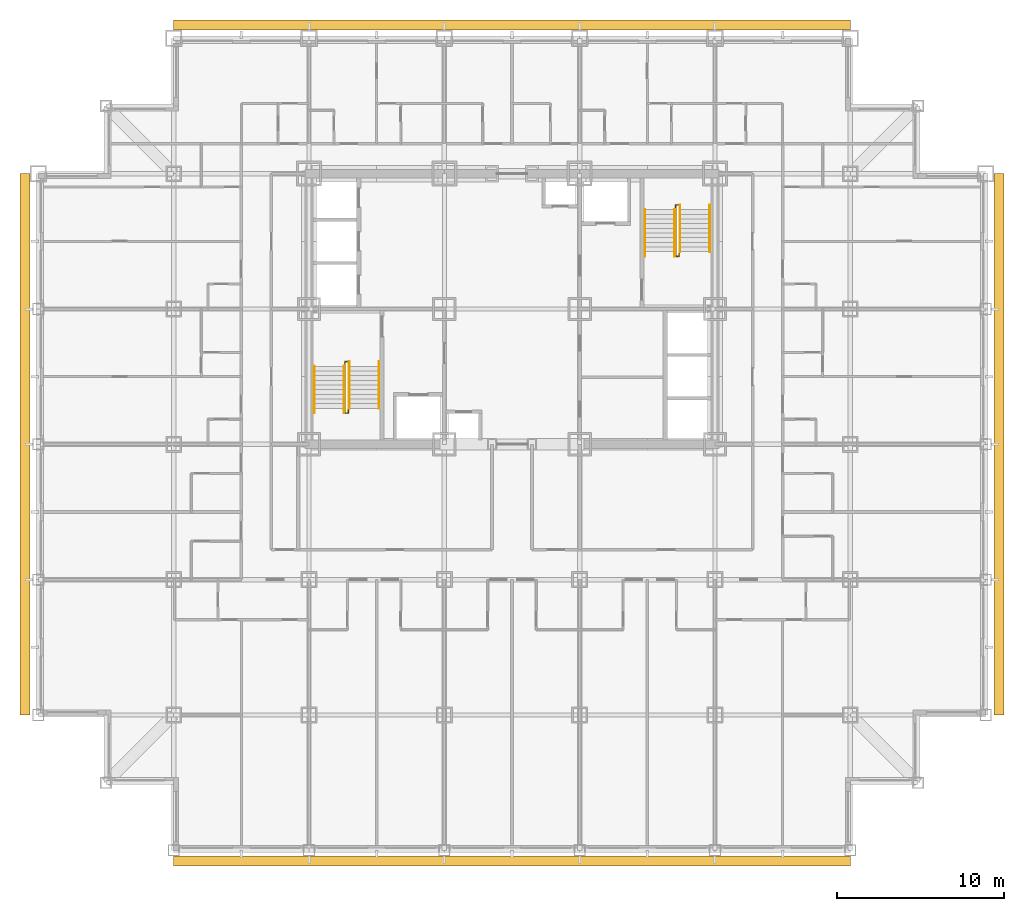
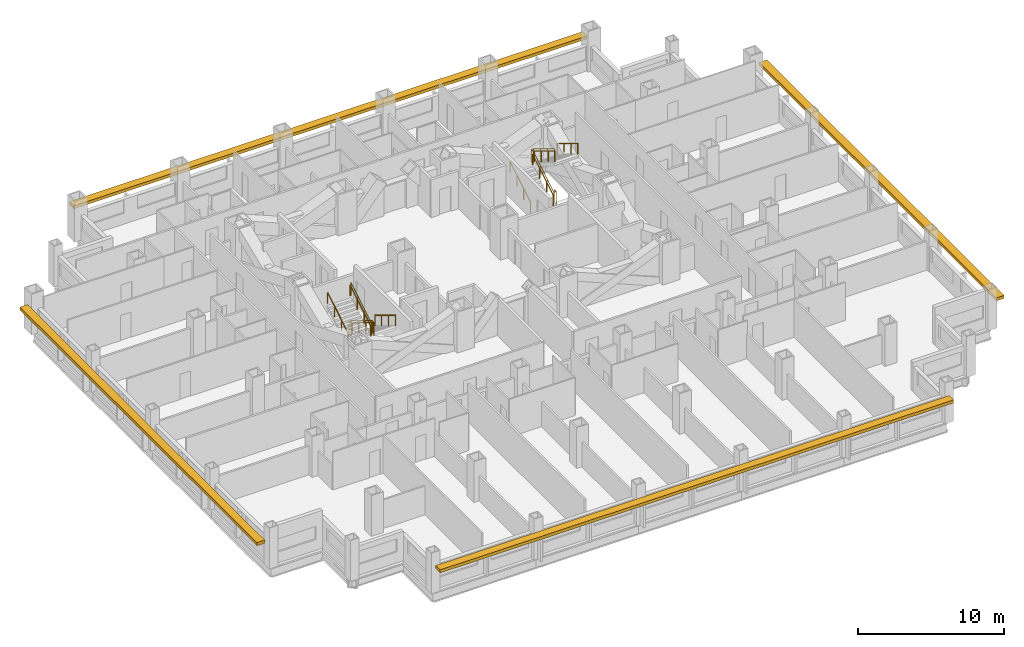
# One storey, part 12 of 12: 10 railings, 4 shading devices.
"""IFC4 building model written with IfcOpenShell, lengths in metres."""

from ifc_helpers import new_model, si_unit, direction, frame, origin, origin_2d, place, context, subcontext, project, spatial, rectangle, circle, extrude, material, type_object, element, save


model = new_model("IFC4")

# Units and contexts
model_context = context("Model", 3, precision=1e-05, world=origin(), true_north=direction((0.0, 1.0)))
body_context = subcontext(model_context, "Body", "Model", "MODEL_VIEW")
ifc_project = project(units=[si_unit("LENGTHUNIT", "METRE"), si_unit("AREAUNIT", "SQUARE_METRE"), si_unit("VOLUMEUNIT", "CUBIC_METRE"), si_unit("PLANEANGLEUNIT", "RADIAN"), si_unit("MASSUNIT", "GRAM", prefix="KILO")], contexts=[model_context])

# Site, building, storey
site_placement = place(None, origin())
site = spatial("IfcSite", under=ifc_project, at=site_placement, CompositionType="ELEMENT")
building_placement = place(site_placement, origin())
building = spatial("IfcBuilding", under=site, at=building_placement, Name="Kopane Lantern Tower", CompositionType="ELEMENT")
storey_placement = place(building_placement, frame((0.0, 0.0, 87.39990234375)))
storey = spatial("IfcBuildingStorey", under=building, at=storey_placement, Name="L22", CompositionType="ELEMENT", Elevation=87.39990234375)

# Railings
ifc_material_1 = material(Name="Steel", Category="steel")
railing_type_1 = type_object("IfcRailingType", Name="STAIR GUARD 1100", PredefinedType="GUARDRAIL", material=ifc_material_1)
railing_1_placement = place(storey_placement, frame((18.35009765625, 28.969970703125, 0.0)))
element("IfcRailing", 1, at=railing_1_placement, inside=storey, type_object=railing_type_1, Name="ST1 well guard L22", PredefinedType="GUARDRAIL", context=body_context, shape_type="SweptSolid", body=[
    extrude(circle(Radius=0.02392578125, at=origin_2d()), frame((0.0, 0.0, 1.076171875), z_axis=(0.0, 1.0, 0.0), x_axis=(-1.0, 0.0, 0.0)), (0.0, 0.0, 1.0), 0.280029296875),
    extrude(circle(Radius=0.02392578125, at=origin_2d()), frame((0.0, 0.280029296875, 1.076171875), z_axis=(1.0, 0.0, 0.0), x_axis=(0.0, 1.0, 0.0)), (0.0, 0.0, 1.0), 0.199951171875),
    extrude(circle(Radius=0.02392578125, at=origin_2d()), frame((0.199951171875, 0.280029296875, 1.076171875), z_axis=(0.0, -0.854765079529, 0.519015085347), x_axis=(1.0, 0.0, 0.0)), (0.0, 0.0, 1.0), 3.27587890625),
    extrude(circle(Radius=0.02392578125, at=origin_2d()), frame((0.199951171875, -2.52001953125, 2.7763671875), z_axis=(0.0, -1.0, 0.0), x_axis=(1.0, 0.0, 0.0)), (0.0, 0.0, 1.0), 0.280029296875),
    extrude(circle(Radius=0.02392578125, at=origin_2d()), frame((0.199951171875, -2.800048828125, 2.7763671875), z_axis=(-1.0, 0.0, 0.0), x_axis=(0.0, -1.0, 0.0)), (0.0, 0.0, 1.0), 0.199951171875),
    extrude(circle(Radius=0.02392578125, at=origin_2d()), frame((0.0, -2.800048828125, 2.7763671875), z_axis=(0.0, 0.854798142509, 0.518960630071), x_axis=(-1.0, 0.0, 0.0)), (0.0, 0.0, 1.0), 3.275634765625),
    extrude(circle(Radius=0.02099609375, at=origin_2d()), origin(), (0.0, 0.0, 1.0), 1.052001953125),
    extrude(circle(Radius=0.02099609375, at=origin_2d()), frame((0.0, 0.280029296875, 0.0)), (0.0, 0.0, 1.0), 1.052001953125),
    extrude(circle(Radius=0.02099609375, at=origin_2d()), frame((0.199951171875, 0.280029296875, 0.0)), (0.0, 0.0, 1.0), 1.052001953125),
    extrude(circle(Radius=0.02099609375, at=origin_2d()), frame((0.199951171875, -0.6533203125, 0.566650390625)), (0.0, 0.0, 1.0), 1.052001953125),
    extrude(circle(Radius=0.02099609375, at=origin_2d()), frame((0.199951171875, -1.586669921875, 1.133544921875)), (0.0, 0.0, 1.0), 1.052001953125),
    extrude(circle(Radius=0.02099609375, at=origin_2d()), frame((0.199951171875, -2.52001953125, 1.7001953125)), (0.0, 0.0, 1.0), 1.052001953125),
    extrude(circle(Radius=0.02099609375, at=origin_2d()), frame((0.199951171875, -2.800048828125, 1.7001953125)), (0.0, 0.0, 1.0), 1.052001953125),
    extrude(circle(Radius=0.02099609375, at=origin_2d()), frame((0.0, -2.800048828125, 1.7001953125)), (0.0, 0.0, 1.0), 1.052001953125),
    extrude(circle(Radius=0.02099609375, at=origin_2d()), frame((0.0, -1.86669921875, 2.266845703125)), (0.0, 0.0, 1.0), 1.052001953125),
    extrude(circle(Radius=0.02099609375, at=origin_2d()), frame((0.0, -0.933349609375, 2.83349609375)), (0.0, 0.0, 1.0), 1.052001953125),
    extrude(circle(Radius=0.02099609375, at=origin_2d()), frame((0.0, 0.0, 3.400146484375)), (0.0, 0.0, 1.0), 1.052001953125),
])
railing_2_placement = place(storey_placement, frame((38.35009765625, 35.830078125, 0.0)))
element("IfcRailing", 2, at=railing_2_placement, inside=storey, type_object=railing_type_1, Name="ST2 well guard L22", PredefinedType="GUARDRAIL", context=body_context, shape_type="SweptSolid", body=[
    extrude(circle(Radius=0.02392578125, at=origin_2d()), frame((0.0, 0.0, 1.076171875), z_axis=(0.0, -1.0, 0.0), x_axis=(1.0, 0.0, 0.0)), (0.0, 0.0, 1.0), 0.280029296875),
    extrude(circle(Radius=0.02392578125, at=origin_2d()), frame((0.0, -0.280029296875, 1.076171875), z_axis=(-1.0, 0.0, 0.0), x_axis=(0.0, -1.0, 0.0)), (0.0, 0.0, 1.0), 0.2001953125),
    extrude(circle(Radius=0.02392578125, at=origin_2d()), frame((-0.2001953125, -0.280029296875, 1.076171875), z_axis=(0.0, 0.854765079529, 0.519015085347), x_axis=(-1.0, 0.0, 0.0)), (0.0, 0.0, 1.0), 3.27587890625),
    extrude(circle(Radius=0.02392578125, at=origin_2d()), frame((-0.2001953125, 2.52001953125, 2.7763671875), z_axis=(0.0, 1.0, 0.0), x_axis=(-1.0, 0.0, 0.0)), (0.0, 0.0, 1.0), 0.27978515625),
    extrude(circle(Radius=0.02392578125, at=origin_2d()), frame((-0.2001953125, 2.7998046875, 2.7763671875), z_axis=(1.0, 0.0, 0.0), x_axis=(0.0, 1.0, 0.0)), (0.0, 0.0, 1.0), 0.2001953125),
    extrude(circle(Radius=0.02392578125, at=origin_2d()), frame((0.0, 2.7998046875, 2.7763671875), z_axis=(0.0, -0.854778067842, 0.518993694313), x_axis=(1.0, 0.0, 0.0)), (0.0, 0.0, 1.0), 3.275390625),
    extrude(circle(Radius=0.02099609375, at=origin_2d()), origin(), (0.0, 0.0, 1.0), 1.052001953125),
    extrude(circle(Radius=0.02099609375, at=origin_2d()), frame((0.0, -0.280029296875, 0.0)), (0.0, 0.0, 1.0), 1.052001953125),
    extrude(circle(Radius=0.02099609375, at=origin_2d()), frame((-0.2001953125, -0.280029296875, 0.0)), (0.0, 0.0, 1.0), 1.052001953125),
    extrude(circle(Radius=0.02099609375, at=origin_2d()), frame((-0.2001953125, 0.6533203125, 0.566650390625)), (0.0, 0.0, 1.0), 1.052001953125),
    extrude(circle(Radius=0.02099609375, at=origin_2d()), frame((-0.2001953125, 1.586669921875, 1.133544921875)), (0.0, 0.0, 1.0), 1.052001953125),
    extrude(circle(Radius=0.02099609375, at=origin_2d()), frame((-0.2001953125, 2.52001953125, 1.7001953125)), (0.0, 0.0, 1.0), 1.052001953125),
    extrude(circle(Radius=0.02099609375, at=origin_2d()), frame((-0.2001953125, 2.7998046875, 1.7001953125)), (0.0, 0.0, 1.0), 1.052001953125),
    extrude(circle(Radius=0.02099609375, at=origin_2d()), frame((0.0, 2.7998046875, 1.7001953125)), (0.0, 0.0, 1.0), 1.052001953125),
    extrude(circle(Radius=0.02099609375, at=origin_2d()), frame((0.0, 1.866455078125, 2.266845703125)), (0.0, 0.0, 1.0), 1.052001953125),
    extrude(circle(Radius=0.02099609375, at=origin_2d()), frame((0.0, 0.933349609375, 2.83349609375)), (0.0, 0.0, 1.0), 1.052001953125),
    extrude(circle(Radius=0.02099609375, at=origin_2d()), frame((0.0, 0.0, 3.400146484375)), (0.0, 0.0, 1.0), 1.052001953125),
])
ifc_material_2 = material(Name="Steel", Category="steel")
railing_type_2 = type_object("IfcRailingType", Name="STAIR HANDRAIL 900", PredefinedType="HANDRAIL", material=ifc_material_2)
for number, where, name in (
    (3, (20.389892578125, 29.25, 0.0), "ST1 handrail L22 flight 1"),
    (4, (18.610107421875, 29.25, 0.0), "ST1 handrail L22 flight 1"),
):
    element("IfcRailing", number, at=place(storey_placement, frame(where)), inside=storey, type_object=railing_type_2, Name=name, PredefinedType="HANDRAIL", context=body_context, shape_type="SweptSolid", body=[
        extrude(circle(Radius=0.02392578125, at=origin_2d()), frame((0.0, 0.0, 0.8759765625), z_axis=(0.0, -0.854765079529, 0.519015085347), x_axis=(1.0, 0.0, 0.0)), (0.0, 0.0, 1.0), 3.27587890625),
        extrude(circle(Radius=0.02099609375, at=origin_2d()), origin(), (0.0, 0.0, 1.0), 0.851806640625),
        extrude(circle(Radius=0.02099609375, at=origin_2d()), frame((0.0, -0.933349609375, 0.566650390625)), (0.0, 0.0, 1.0), 0.851806640625),
        extrude(circle(Radius=0.02099609375, at=origin_2d()), frame((0.0, -1.86669921875, 1.133544921875)), (0.0, 0.0, 1.0), 0.851806640625),
        extrude(circle(Radius=0.02099609375, at=origin_2d()), frame((0.0, -2.800048828125, 1.7001953125)), (0.0, 0.0, 1.0), 0.851806640625),
    ])
for number, where, name in (
    (5, (16.510009765625, 26.169921875, 1.7001953125), "ST1 handrail L22 flight 2"),
    (6, (18.2900390625, 26.169921875, 1.7001953125), "ST1 handrail L22 flight 2"),
):
    element("IfcRailing", number, at=place(storey_placement, frame(where)), inside=storey, type_object=railing_type_2, Name=name, PredefinedType="HANDRAIL", context=body_context, shape_type="SweptSolid", body=[
        extrude(circle(Radius=0.02392578125, at=origin_2d()), frame((0.0, 0.0, 0.8759765625), z_axis=(0.0, 0.854798142509, 0.518960630071), x_axis=(-1.0, 0.0, 0.0)), (0.0, 0.0, 1.0), 3.275634765625),
        extrude(circle(Radius=0.02099609375, at=origin_2d()), origin(), (0.0, 0.0, 1.0), 0.851806640625),
        extrude(circle(Radius=0.02099609375, at=origin_2d()), frame((0.0, 0.933349609375, 0.566650390625)), (0.0, 0.0, 1.0), 0.851806640625),
        extrude(circle(Radius=0.02099609375, at=origin_2d()), frame((0.0, 1.86669921875, 1.13330078125)), (0.0, 0.0, 1.0), 0.851806640625),
        extrude(circle(Radius=0.02099609375, at=origin_2d()), frame((0.0, 2.800048828125, 1.699951171875)), (0.0, 0.0, 1.0), 0.851806640625),
    ])
for number, where, name in (
    (7, (36.31005859375, 35.550048828125, 0.0), "ST2 handrail L22 flight 1"),
    (8, (38.090087890625, 35.550048828125, 0.0), "ST2 handrail L22 flight 1"),
):
    element("IfcRailing", number, at=place(storey_placement, frame(where)), inside=storey, type_object=railing_type_2, Name=name, PredefinedType="HANDRAIL", context=body_context, shape_type="SweptSolid", body=[
        extrude(circle(Radius=0.02392578125, at=origin_2d()), frame((0.0, 0.0, 0.8759765625), z_axis=(0.0, 0.854765079529, 0.519015085347), x_axis=(-1.0, 0.0, 0.0)), (0.0, 0.0, 1.0), 3.27587890625),
        extrude(circle(Radius=0.02099609375, at=origin_2d()), origin(), (0.0, 0.0, 1.0), 0.851806640625),
        extrude(circle(Radius=0.02099609375, at=origin_2d()), frame((0.0, 0.933349609375, 0.566650390625)), (0.0, 0.0, 1.0), 0.851806640625),
        extrude(circle(Radius=0.02099609375, at=origin_2d()), frame((0.0, 1.86669921875, 1.133544921875)), (0.0, 0.0, 1.0), 0.851806640625),
        extrude(circle(Radius=0.02099609375, at=origin_2d()), frame((0.0, 2.800048828125, 1.7001953125)), (0.0, 0.0, 1.0), 0.851806640625),
    ])
for number, where, name in (
    (9, (40.18994140625, 38.6298828125, 1.7001953125), "ST2 handrail L22 flight 2"),
    (10, (38.409912109375, 38.6298828125, 1.7001953125), "ST2 handrail L22 flight 2"),
):
    element("IfcRailing", number, at=place(storey_placement, frame(where)), inside=storey, type_object=railing_type_2, Name=name, PredefinedType="HANDRAIL", context=body_context, shape_type="SweptSolid", body=[
        extrude(circle(Radius=0.02392578125, at=origin_2d()), frame((0.0, 0.0, 0.8759765625), z_axis=(0.0, -0.854778067842, 0.518993694313), x_axis=(1.0, 0.0, 0.0)), (0.0, 0.0, 1.0), 3.275390625),
        extrude(circle(Radius=0.02099609375, at=origin_2d()), origin(), (0.0, 0.0, 1.0), 0.851806640625),
        extrude(circle(Radius=0.02099609375, at=origin_2d()), frame((0.0, -0.933349609375, 0.566650390625)), (0.0, 0.0, 1.0), 0.851806640625),
        extrude(circle(Radius=0.02099609375, at=origin_2d()), frame((0.0, -1.866455078125, 1.13330078125)), (0.0, 0.0, 1.0), 0.851806640625),
        extrude(circle(Radius=0.02099609375, at=origin_2d()), frame((0.0, -2.7998046875, 1.699951171875)), (0.0, 0.0, 1.0), 0.851806640625),
    ])

# Shading devices
ifc_material_3 = material(Name="Terracotta rainscreen on light steel framing", Category="masonry")
shading_device_type = type_object("IfcShadingDeviceType", Name="SUNSHADE BAND SB1 600 TERRACOTTA", PredefinedType="USERDEFINED", material=ifc_material_3)
shading_device_1_placement = place(storey_placement, frame((28.35009765625, -0.64990234375, 2.0), z_axis=(0.0, 0.0, 1.0), x_axis=(1.0, 0.0, 0.0)))
element("IfcShadingDevice", 11, at=shading_device_1_placement, inside=storey, type_object=shading_device_type, Name="Sunshade band S L22", ObjectType="SUNSHADE BAND", PredefinedType="USERDEFINED", context=body_context, shape_type="SweptSolid", body=[
    extrude(rectangle(XDim=40.5, YDim=0.60009765625, at=origin_2d()), origin(), (0.0, 0.0, 1.0), 0.25),
])
shading_device_2_placement = place(storey_placement, frame((57.5, 24.300048828125, 2.0), z_axis=(0.0, 0.0, 1.0), x_axis=(0.0, 1.0, 0.0)))
element("IfcShadingDevice", 12, at=shading_device_2_placement, inside=storey, type_object=shading_device_type, Name="Sunshade band E L22", ObjectType="SUNSHADE BAND", PredefinedType="USERDEFINED", context=body_context, shape_type="SweptSolid", body=[
    extrude(rectangle(XDim=32.39990234375, YDim=0.60009765625, at=origin_2d()), origin(), (0.0, 0.0, 1.0), 0.25),
])
shading_device_3_placement = place(storey_placement, frame((28.35009765625, 49.39990234375, 2.0), z_axis=(0.0, 0.0, 1.0), x_axis=(-1.0, 0.0, 0.0)))
element("IfcShadingDevice", 13, at=shading_device_3_placement, inside=storey, type_object=shading_device_type, Name="Sunshade band N L22", ObjectType="SUNSHADE BAND", PredefinedType="USERDEFINED", context=body_context, shape_type="SweptSolid", body=[
    extrude(rectangle(XDim=40.5, YDim=0.60009765625, at=origin_2d()), origin(), (0.0, 0.0, 1.0), 0.25),
])
shading_device_4_placement = place(storey_placement, frame((-0.800048828125, 24.300048828125, 2.0), z_axis=(0.0, 0.0, 1.0), x_axis=(0.0, -1.0, 0.0)))
element("IfcShadingDevice", 14, at=shading_device_4_placement, inside=storey, type_object=shading_device_type, Name="Sunshade band W L22", ObjectType="SUNSHADE BAND", PredefinedType="USERDEFINED", context=body_context, shape_type="SweptSolid", body=[
    extrude(rectangle(XDim=32.39990234375, YDim=0.60009765625, at=origin_2d()), origin(), (0.0, 0.0, 1.0), 0.25),
])

save(model, "model.ifc")
